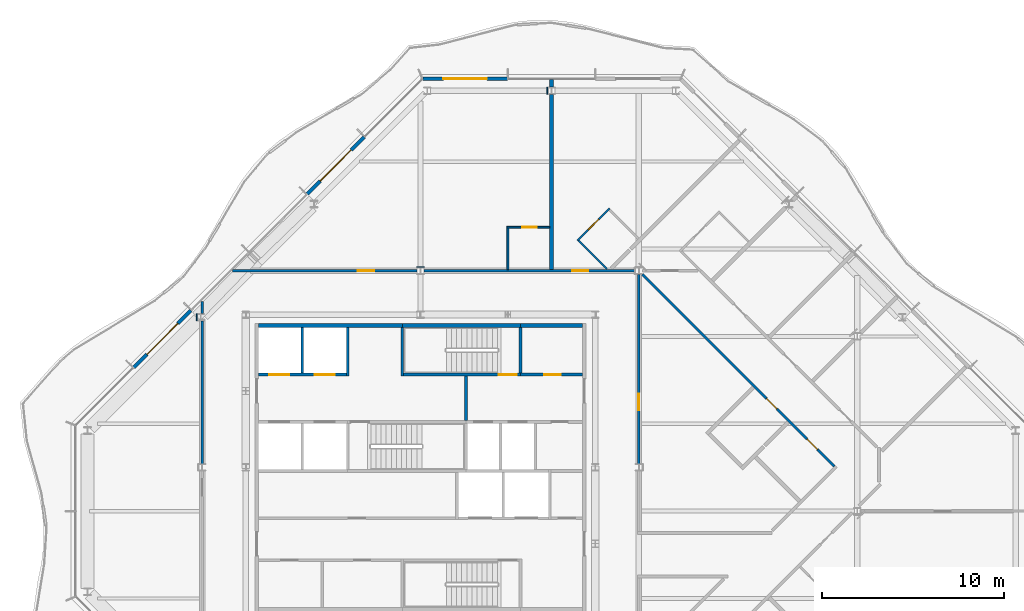
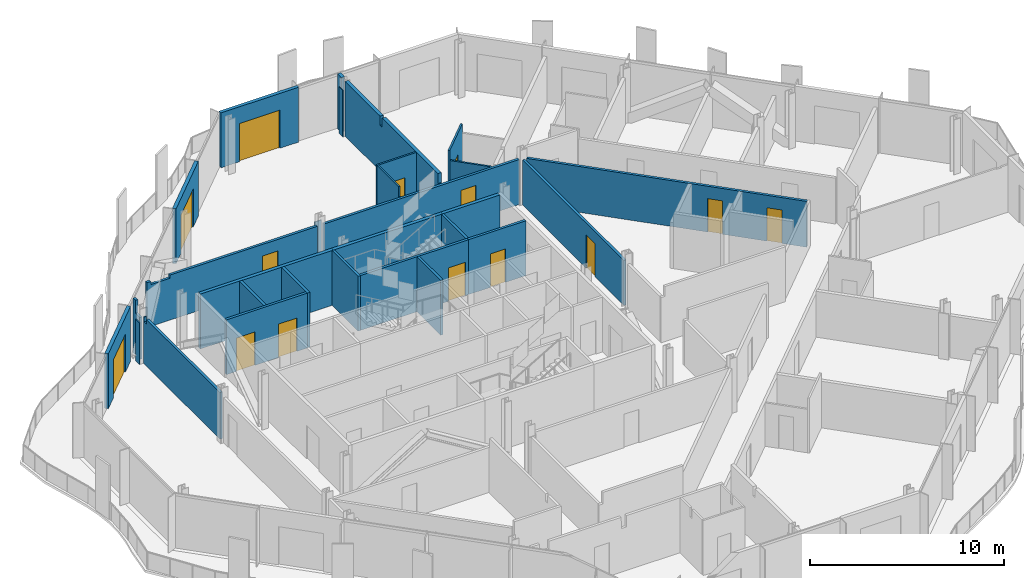
# One storey, part 10 of 16: 29 walls, 14 doors, 14 openings.
"""IFC4 building model written with IfcOpenShell, lengths in metres."""

from ifc_helpers import new_model, si_unit, direction, frame, frame_2d, origin, place, context, subcontext, project, spatial, polyline, rectangle, outline, extrude, material, layer, layer_set, type_object, element, fill, save


model = new_model("IFC4")

# Units and contexts
model_context = context("Model", 3, precision=1e-05, world=origin(), true_north=direction((0.0, 1.0)))
body_context = subcontext(model_context, "Body", "Model", "MODEL_VIEW")
ifc_project = project(units=[si_unit("LENGTHUNIT", "METRE"), si_unit("AREAUNIT", "SQUARE_METRE"), si_unit("VOLUMEUNIT", "CUBIC_METRE"), si_unit("PLANEANGLEUNIT", "RADIAN"), si_unit("MASSUNIT", "GRAM", prefix="KILO")], contexts=[model_context])

# Site, building, storey
site_placement = place(None, origin())
site = spatial("IfcSite", under=ifc_project, at=site_placement, CompositionType="ELEMENT")
building_placement = place(site_placement, origin())
building = spatial("IfcBuilding", under=site, at=building_placement, Name="Cairn Pilgrim Tower", CompositionType="ELEMENT")
storey_placement = place(building_placement, frame((0.0, 0.0, 277.800048828125)))
storey = spatial("IfcBuildingStorey", under=building, at=storey_placement, Name="L71", CompositionType="ELEMENT", Elevation=277.800048828125)

# Wall, opening, door
ifc_material_1 = material(Name="Bronze anodised aluminium insulated sandwich panel with mineral wool fill", Category="aluminium")
ifc_layer_1 = layer(ifc_material_1, 0.199951171875)
ifc_layer_set_1 = layer_set([ifc_layer_1], Name="BRONZE INFILL FRAME WALL 200")
wall_type_1 = type_object("IfcWallType", Name="BRONZE INFILL FRAME WALL 200", PredefinedType="NOTDEFINED", material=ifc_layer_set_1)
wall_1_placement = place(storey_placement, frame((11.969970703125, 23.75, 0.0), z_axis=(0.0, 0.0, 1.0), x_axis=(-1.0, 0.0, 0.0)))
wall_1 = element("IfcWall", 1, at=wall_1_placement, inside=storey, type_object=wall_type_1, Name="Bronze infill frame wall IW-N3", PredefinedType="NOTDEFINED", context=body_context, shape_type="SweptSolid", body=[
    extrude(rectangle(XDim=4.62646484375, YDim=0.199951171875, at=frame_2d((2.313232421875, 0.0))), origin(), (0.0, 0.0, 1.0), 3.449951171875),
])
opening_1_placement = place(wall_1_placement, frame((1.117919921875, 0.0, 0.0)))
opening_1 = element("IfcOpeningElement", 2, at=opening_1_placement, cuts=wall_1, Name="Opening 7110B2", PredefinedType="OPENING", context=body_context, shape_type="SweptSolid", body=[
    extrude(rectangle(XDim=2.39990234375, YDim=2.39990234375, at=frame_2d((1.199951171875, 1.199951171875))), frame((0.0, 0.10986328125, 0.0), z_axis=(0.0, -1.0, 0.0), x_axis=(1.0, 0.0, 0.0)), (0.0, 0.0, 1.0), 0.219970703125),
])
ifc_material_2 = material(Name="Bronze anodised aluminium frame with tinted low-E glass", Category="aluminium")
door_type_1 = type_object("IfcDoorType", Name="BALCONY SLIDING DOOR 2400x2400", OperationType="DOUBLE_DOOR_SLIDING", PredefinedType="DOOR", material=ifc_material_2)
door_1_placement = place(opening_1_placement, origin())
door_1 = element("IfcDoor", 3, at=door_1_placement, inside=storey, type_object=door_type_1, Name="Balcony sliding door 7110B2", OperationType="SINGLE_SWING_LEFT", OverallHeight=2.39990234375, OverallWidth=2.39990234375, PredefinedType="DOOR", context=body_context, shape_type="SweptSolid", body=[
    extrude(rectangle(XDim=2.39990234375, YDim=2.39990234375, at=frame_2d((1.199951171875, 1.199951171875))), frame((0.0, 0.02490234375, 0.0), z_axis=(0.0, -1.0, 0.0), x_axis=(1.0, 0.0, 0.0)), (0.0, 0.0, 1.0), 0.050048828125),
])
fill(opening_1, door_1)

wall_2_placement = place(storey_placement, frame((4.106689453125, 20.55322265625, 0.0), z_axis=(0.0, 0.0, 1.0), x_axis=(-0.707079231393, -0.707134329907, 0.0)))
wall_2 = element("IfcWall", 4, at=wall_2_placement, inside=storey, type_object=wall_type_1, Name="Bronze infill frame wall IW-NW2", PredefinedType="NOTDEFINED", context=body_context, shape_type="SweptSolid", body=[
    extrude(rectangle(XDim=4.430908203125, YDim=0.199951171875, at=frame_2d((2.21533203125, 0.0))), origin(), (0.0, 0.0, 1.0), 3.449951171875),
])
opening_2_placement = place(wall_2_placement, frame((1.015380859375, 0.0, 0.0)))
opening_2 = element("IfcOpeningElement", 5, at=opening_2_placement, cuts=wall_2, Name="Opening 7110B", PredefinedType="OPENING", context=body_context, shape_type="SweptSolid", body=[
    extrude(rectangle(XDim=2.39990234375, YDim=2.39990234375, at=frame_2d((1.199951171875, 1.199951171875))), frame((0.0, 0.10986328125, 0.0), z_axis=(0.0, -1.0, 0.0), x_axis=(1.0, 0.0, 0.0)), (0.0, 0.0, 1.0), 0.219970703125),
])
door_2_placement = place(opening_2_placement, origin())
door_2 = element("IfcDoor", 6, at=door_2_placement, inside=storey, type_object=door_type_1, Name="Balcony sliding door 7110B", OperationType="SINGLE_SWING_LEFT", OverallHeight=2.39990234375, OverallWidth=2.39990234375, PredefinedType="DOOR", context=body_context, shape_type="SweptSolid", body=[
    extrude(rectangle(XDim=2.39990234375, YDim=2.39990234375, at=frame_2d((1.199951171875, 1.199951171875))), frame((0.0, 0.02490234375, 0.0), z_axis=(0.0, -1.0, 0.0), x_axis=(1.0, 0.0, 0.0)), (0.0, 0.0, 1.0), 0.050048828125),
])
fill(opening_2, door_2)

wall_3_placement = place(storey_placement, frame((-5.419921875, 11.0263671875, 0.0), z_axis=(0.0, 0.0, 1.0), x_axis=(-0.707134329907, -0.707079231393, 0.0)))
wall_3 = element("IfcWall", 7, at=wall_3_placement, inside=storey, type_object=wall_type_1, Name="Bronze infill frame wall IW-NW5", PredefinedType="NOTDEFINED", context=body_context, shape_type="SweptSolid", body=[
    extrude(rectangle(XDim=4.430908203125, YDim=0.199951171875, at=frame_2d((2.21533203125, 0.0))), origin(), (0.0, 0.0, 1.0), 3.449951171875),
])
opening_3_placement = place(wall_3_placement, frame((1.01513671875, 0.0, 0.0)))
opening_3 = element("IfcOpeningElement", 8, at=opening_3_placement, cuts=wall_3, Name="Opening 7111B", PredefinedType="OPENING", context=body_context, shape_type="SweptSolid", body=[
    extrude(rectangle(XDim=2.39990234375, YDim=2.39990234375, at=frame_2d((1.199951171875, 1.199951171875))), frame((0.0, 0.10986328125, 0.0), z_axis=(0.0, -1.0, 0.0), x_axis=(1.0, 0.0, 0.0)), (0.0, 0.0, 1.0), 0.219970703125),
])
door_3_placement = place(opening_3_placement, origin())
door_3 = element("IfcDoor", 9, at=door_3_placement, inside=storey, type_object=door_type_1, Name="Balcony sliding door 7111B", OperationType="SINGLE_SWING_LEFT", OverallHeight=2.39990234375, OverallWidth=2.39990234375, PredefinedType="DOOR", context=body_context, shape_type="SweptSolid", body=[
    extrude(rectangle(XDim=2.39990234375, YDim=2.39990234375, at=frame_2d((1.199951171875, 1.199951171875))), frame((0.0, 0.02490234375, 0.0), z_axis=(0.0, -1.0, 0.0), x_axis=(1.0, 0.0, 0.0)), (0.0, 0.0, 1.0), 0.050048828125),
])
fill(opening_3, door_3)

# Walls
ifc_material_3 = material(Name="Concrete C32/40", Category="concrete")
ifc_layer_2 = layer(ifc_material_3, 0.199951171875)
ifc_layer_set_2 = layer_set([ifc_layer_2], Name="CORE OUTER WALL 200 EI 120")
wall_type_2 = type_object("IfcWallType", Name="CORE OUTER WALL 200 EI 120", PredefinedType="SOLIDWALL", material=ifc_layer_set_2)
wall_4_placement = place(storey_placement, frame((-1.699951171875, 10.199951171875, 0.0), z_axis=(0.0, 0.0, 1.0), x_axis=(1.0, 0.0, 0.0)))
element("IfcWall", 10, at=wall_4_placement, inside=storey, type_object=wall_type_2, Name="CW:L71:H12-1", PredefinedType="SOLIDWALL", context=body_context, shape_type="SweptSolid", body=[
    extrude(rectangle(XDim=7.89990234375, YDim=0.199951171875, at=frame_2d((3.949951171875, 0.0))), origin(), (0.0, 0.0, 1.0), 3.449951171875),
])
wall_5_placement = place(storey_placement, frame((12.699951171875, 10.199951171875, 0.0), z_axis=(0.0, 0.0, 1.0), x_axis=(1.0, 0.0, 0.0)))
element("IfcWall", 11, at=wall_5_placement, inside=storey, type_object=wall_type_2, Name="CW:L71:H12-3", PredefinedType="SOLIDWALL", context=body_context, shape_type="SweptSolid", body=[
    extrude(rectangle(XDim=3.400146484375, YDim=0.199951171875, at=frame_2d((1.7001953125, 0.0))), origin(), (0.0, 0.0, 1.0), 3.449951171875),
])

# Wall, openings, doors
ifc_layer_3 = layer(ifc_material_3, 0.14990234375)
ifc_layer_set_3 = layer_set([ifc_layer_3], Name="CORE SHAFT WALL 150 EI 120")
wall_type_3 = type_object("IfcWallType", Name="CORE SHAFT WALL 150 EI 120", PredefinedType="SOLIDWALL", material=ifc_layer_set_3)
wall_6_placement = place(storey_placement, frame((-1.699951171875, 7.5, 0.0), z_axis=(0.0, 0.0, 1.0), x_axis=(1.0, 0.0, 0.0)))
wall_6 = element("IfcWall", 12, at=wall_6_placement, inside=storey, type_object=wall_type_3, Name="CW:L71:H10", PredefinedType="SOLIDWALL", context=body_context, shape_type="SweptSolid", body=[
    extrude(rectangle(XDim=4.824951171875, YDim=0.14990234375, at=frame_2d((2.41259765625, 0.0))), origin(), (0.0, 0.0, 1.0), 3.449951171875),
])
opening_4_placement = place(wall_6_placement, frame((0.60009765625, 0.0, 0.0)))
opening_4 = element("IfcOpeningElement", 13, at=opening_4_placement, cuts=wall_6, Name="Opening LD-HR3", PredefinedType="OPENING", context=body_context, shape_type="SweptSolid", body=[
    extrude(rectangle(XDim=1.10009765625, YDim=2.10009765625, at=frame_2d((0.550048828125, 1.050048828125))), frame((0.0, 0.0849609375, 0.0), z_axis=(0.0, -1.0, 0.0), x_axis=(1.0, 0.0, 0.0)), (0.0, 0.0, 1.0), 0.169921875),
])
opening_5_placement = place(wall_6_placement, frame((3.10009765625, 0.0, 0.0)))
opening_5 = element("IfcOpeningElement", 14, at=opening_5_placement, cuts=wall_6, Name="Opening LD-HR4", PredefinedType="OPENING", context=body_context, shape_type="SweptSolid", body=[
    extrude(rectangle(XDim=1.10009765625, YDim=2.10009765625, at=frame_2d((0.550048828125, 1.050048828125))), frame((0.0, 0.0849609375, 0.0), z_axis=(0.0, -1.0, 0.0), x_axis=(1.0, 0.0, 0.0)), (0.0, 0.0, 1.0), 0.169921875),
])
ifc_material_4 = material(Name="Stainless steel", Category="steel")
door_type_2 = type_object("IfcDoorType", Name="LIFT LANDING DOOR 1100x2100", OperationType="DOUBLE_DOOR_SLIDING", PredefinedType="DOOR", material=ifc_material_4)
door_4_placement = place(opening_4_placement, origin())
door_4 = element("IfcDoor", 15, at=door_4_placement, inside=storey, type_object=door_type_2, Name="LANDING DOOR HR3", OperationType="DOUBLE_DOOR_SLIDING", OverallHeight=2.10009765625, OverallWidth=1.10009765625, PredefinedType="DOOR", context=body_context, shape_type="SweptSolid", body=[
    extrude(rectangle(XDim=1.10009765625, YDim=2.10009765625, at=frame_2d((0.550048828125, 1.050048828125))), frame((0.0, 0.02490234375, 0.0), z_axis=(0.0, -1.0, 0.0), x_axis=(1.0, 0.0, 0.0)), (0.0, 0.0, 1.0), 0.050048828125),
])
fill(opening_4, door_4)
door_5_placement = place(opening_5_placement, origin())
door_5 = element("IfcDoor", 16, at=door_5_placement, inside=storey, type_object=door_type_2, Name="LANDING DOOR HR4", OperationType="DOUBLE_DOOR_SLIDING", OverallHeight=2.10009765625, OverallWidth=1.10009765625, PredefinedType="DOOR", context=body_context, shape_type="SweptSolid", body=[
    extrude(rectangle(XDim=1.10009765625, YDim=2.10009765625, at=frame_2d((0.550048828125, 1.050048828125))), frame((0.0, 0.02490234375, 0.0), z_axis=(0.0, -1.0, 0.0), x_axis=(1.0, 0.0, 0.0)), (0.0, 0.0, 1.0), 0.050048828125),
])
fill(opening_5, door_5)

# Wall, opening, door
wall_7_placement = place(storey_placement, frame((12.699951171875, 7.5, 0.0), z_axis=(0.0, 0.0, 1.0), x_axis=(1.0, 0.0, 0.0)))
wall_7 = element("IfcWall", 17, at=wall_7_placement, inside=storey, type_object=wall_type_3, Name="CW:L71:H11-2", PredefinedType="SOLIDWALL", context=body_context, shape_type="SweptSolid", body=[
    extrude(rectangle(XDim=3.400146484375, YDim=0.14990234375, at=frame_2d((1.7001953125, 0.0))), origin(), (0.0, 0.0, 1.0), 3.449951171875),
])
opening_6_placement = place(wall_7_placement, frame((1.300048828125, 0.0, 0.0)))
opening_6 = element("IfcOpeningElement", 18, at=opening_6_placement, cuts=wall_7, Name="Opening RD-R4E", PredefinedType="OPENING", context=body_context, shape_type="SweptSolid", body=[
    extrude(rectangle(XDim=0.89990234375, YDim=2.10009765625, at=frame_2d((0.449951171875, 1.050048828125))), frame((0.0, 0.0849609375, 0.0), z_axis=(0.0, -1.0, 0.0), x_axis=(1.0, 0.0, 0.0)), (0.0, 0.0, 1.0), 0.169921875),
])
ifc_material_5 = material(Name="Painted steel", Category="steel")
door_type_3 = type_object("IfcDoorType", Name="SERVICE ROOM DOOR 900x2100", OperationType="SINGLE_SWING_LEFT", PredefinedType="DOOR", material=ifc_material_5)
door_6_placement = place(opening_6_placement, origin())
door_6 = element("IfcDoor", 19, at=door_6_placement, inside=storey, type_object=door_type_3, Name="RD-R4E", OperationType="SINGLE_SWING_LEFT", OverallHeight=2.10009765625, OverallWidth=0.89990234375, PredefinedType="DOOR", context=body_context, shape_type="SweptSolid", body=[
    extrude(rectangle(XDim=0.89990234375, YDim=2.10009765625, at=frame_2d((0.449951171875, 1.050048828125))), frame((0.0, 0.02490234375, 0.0), z_axis=(0.0, -1.0, 0.0), x_axis=(1.0, 0.0, 0.0)), (0.0, 0.0, 1.0), 0.050048828125),
])
fill(opening_6, door_6)

# Walls
wall_8_placement = place(storey_placement, frame((0.699951171875, 7.574951171875, 0.0), z_axis=(0.0, 0.0, 1.0), x_axis=(0.0, 1.0, 0.0)))
element("IfcWall", 20, at=wall_8_placement, inside=storey, type_object=wall_type_3, Name="CW:L71:V15", PredefinedType="SOLIDWALL", context=body_context, shape_type="SweptSolid", body=[
    extrude(rectangle(XDim=2.525146484375, YDim=0.14990234375, at=frame_2d((1.2626953125, 0.0))), origin(), (0.0, 0.0, 1.0), 3.449951171875),
])
wall_9_placement = place(storey_placement, frame((3.199951171875, 7.425048828125, 0.0), z_axis=(0.0, 0.0, 1.0), x_axis=(0.0, 1.0, 0.0)))
element("IfcWall", 21, at=wall_9_placement, inside=storey, type_object=wall_type_3, Name="CW:L71:V18", PredefinedType="SOLIDWALL", context=body_context, shape_type="SweptSolid", body=[
    extrude(rectangle(XDim=2.675048828125, YDim=0.14990234375, at=frame_2d((1.33740234375, 0.0))), origin(), (0.0, 0.0, 1.0), 3.449951171875),
])
wall_10_placement = place(storey_placement, frame((9.699951171875, 4.97509765625, 0.0), z_axis=(0.0, 0.0, 1.0), x_axis=(0.0, 1.0, 0.0)))
element("IfcWall", 22, at=wall_10_placement, inside=storey, type_object=wall_type_3, Name="CW:L71:V23", PredefinedType="SOLIDWALL", context=body_context, shape_type="SweptSolid", body=[
    extrude(rectangle(XDim=2.449951171875, YDim=0.14990234375, at=frame_2d((1.22509765625, 0.0))), origin(), (0.0, 0.0, 1.0), 3.449951171875),
])
ifc_material_6 = material(Name="Gypsum partition")
ifc_layer_4 = layer(ifc_material_6, 0.10009765625)
ifc_layer_set_4 = layer_set([ifc_layer_4], Name="PARTITION 100 DRYWALL")
wall_type_4 = type_object("IfcWallType", Name="PARTITION 100 DRYWALL", PredefinedType="PARTITIONING", material=ifc_layer_set_4)
wall_11_placement = place(storey_placement, frame((12.0, 13.27490234375, 0.0), z_axis=(0.0, 0.0, 1.0), x_axis=(0.0, 1.0, 0.0)))
element("IfcWall", 23, at=wall_11_placement, inside=storey, type_object=wall_type_4, Name="PARTITION W055", PredefinedType="PARTITIONING", context=body_context, shape_type="SweptSolid", body=[
    extrude(outline(polyline([(0.0, 0.0), (2.275146484375, 0.0), (2.27490234375, 3.449951171875), (0.074951171875, 3.449951171875), (0.072998046875, 2.829833984375), (0.0, 2.829833984375), (0.0, 0.0)])), frame((0.0, 0.050048828125, 0.0), z_axis=(0.0, -1.0, 0.0), x_axis=(1.0, 0.0, 0.0)), (0.0, 0.0, 1.0), 0.10009765625),
])
wall_12_placement = place(storey_placement, frame((17.441650390625, 13.310302734375, 0.0), z_axis=(0.0, 0.0, 1.0), x_axis=(-0.707273623788, 0.706939899209, 0.0)))
element("IfcWall", 24, at=wall_12_placement, inside=storey, type_object=wall_type_4, Name="PARTITION W057", PredefinedType="PARTITIONING", context=body_context, shape_type="SweptSolid", body=[
    extrude(rectangle(XDim=2.194580078125, YDim=0.10009765625, at=frame_2d((1.09716796875, 0.0))), origin(), (0.0, 0.0, 1.0), 2.829833984375),
])

# Wall, opening, door
wall_13_placement = place(storey_placement, frame((15.818603515625, 14.86181640625, 0.0), z_axis=(0.0, 0.0, 1.0), x_axis=(0.707350821469, 0.706862656651, 0.0)))
wall_13 = element("IfcWall", 25, at=wall_13_placement, inside=storey, type_object=wall_type_4, Name="PARTITION W062", PredefinedType="PARTITIONING", context=body_context, shape_type="SweptSolid", body=[
    extrude(rectangle(XDim=2.50048828125, YDim=0.10009765625, at=frame_2d((1.250244140625, 0.0))), origin(), (0.0, 0.0, 1.0), 3.449951171875),
])
opening_7_placement = place(wall_13_placement, frame((0.8505859375, 0.0, 0.0)))
opening_7 = element("IfcOpeningElement", 26, at=opening_7_placement, cuts=wall_13, Name="Opening 7109A", PredefinedType="OPENING", context=body_context, shape_type="SweptSolid", body=[
    extrude(rectangle(XDim=0.800048828125, YDim=2.10009765625, at=frame_2d((0.39990234375, 1.050048828125))), frame((0.0, 0.06005859375, 0.0), z_axis=(0.0, -1.0, 0.0), x_axis=(1.0, 0.0, 0.0)), (0.0, 0.0, 1.0), 0.1201171875),
])
ifc_material_7 = material(Name="Timber door leaf", Category="wood")
door_type_4 = type_object("IfcDoorType", Name="WC DOOR 800x2100", OperationType="NOTDEFINED", PredefinedType="DOOR", material=ifc_material_7)
door_7_placement = place(opening_7_placement, origin())
door_7 = element("IfcDoor", 27, at=door_7_placement, inside=storey, type_object=door_type_4, Name="DOOR 7109A", OperationType="SINGLE_SWING_LEFT", OverallHeight=2.10009765625, OverallWidth=0.800048828125, PredefinedType="DOOR", context=body_context, shape_type="SweptSolid", body=[
    extrude(rectangle(XDim=0.800048828125, YDim=2.10009765625, at=frame_2d((0.39990234375, 1.050048828125))), frame((0.0, 0.02490234375, 0.0), z_axis=(0.0, -1.0, 0.0), x_axis=(1.0, 0.0, 0.0)), (0.0, 0.0, 1.0), 0.050048828125),
])
fill(opening_7, door_7)

wall_14_placement = place(storey_placement, frame((11.949951171875, 15.60009765625, 0.0), z_axis=(0.0, 0.0, 1.0), x_axis=(1.0, 0.0, 0.0)))
wall_14 = element("IfcWall", 28, at=wall_14_placement, inside=storey, type_object=wall_type_4, Name="PARTITION W064", PredefinedType="PARTITIONING", context=body_context, shape_type="SweptSolid", body=[
    extrude(rectangle(XDim=2.35009765625, YDim=0.10009765625, at=frame_2d((1.175048828125, 0.0))), origin(), (0.0, 0.0, 1.0), 3.449951171875),
])
opening_8_placement = place(wall_14_placement, frame((0.85009765625, 0.0, 0.0)))
opening_8 = element("IfcOpeningElement", 29, at=opening_8_placement, cuts=wall_14, Name="Opening 7110A", PredefinedType="OPENING", context=body_context, shape_type="SweptSolid", body=[
    extrude(rectangle(XDim=0.800048828125, YDim=2.10009765625, at=frame_2d((0.39990234375, 1.050048828125))), frame((0.0, 0.06005859375, 0.0), z_axis=(0.0, -1.0, 0.0), x_axis=(1.0, 0.0, 0.0)), (0.0, 0.0, 1.0), 0.1201171875),
])
door_8_placement = place(opening_8_placement, origin())
door_8 = element("IfcDoor", 30, at=door_8_placement, inside=storey, type_object=door_type_4, Name="DOOR 7110A", OperationType="SINGLE_SWING_RIGHT", OverallHeight=2.10009765625, OverallWidth=0.800048828125, PredefinedType="DOOR", context=body_context, shape_type="SweptSolid", body=[
    extrude(rectangle(XDim=0.800048828125, YDim=2.10009765625, at=frame_2d((0.39990234375, 1.050048828125))), frame((0.0, 0.02490234375, 0.0), z_axis=(0.0, -1.0, 0.0), x_axis=(1.0, 0.0, 0.0)), (0.0, 0.0, 1.0), 0.050048828125),
])
fill(opening_8, door_8)

# Wall, openings, doors
ifc_layer_5 = layer(ifc_material_6, 0.14990234375)
ifc_layer_set_5 = layer_set([ifc_layer_5], Name="PARTITION 150 DRYWALL EI 60")
wall_type_5 = type_object("IfcWallType", Name="PARTITION 150 DRYWALL EI 60", PredefinedType="PARTITIONING", material=ifc_layer_set_5)
wall_15_placement = place(storey_placement, frame((29.947021484375, 2.452880859375, 0.0), z_axis=(0.0, 0.0, 1.0), x_axis=(-0.707098603185, 0.707114959093, 0.0)))
wall_15 = element("IfcWall", 31, at=wall_15_placement, inside=storey, type_object=wall_type_5, Name="PARTITION W039", PredefinedType="PARTITIONING", context=body_context, shape_type="SweptSolid", body=[
    extrude(rectangle(XDim=14.9267578125, YDim=0.14990234375, at=frame_2d((7.46337890625, 0.0))), origin(), (0.0, 0.0, 1.0), 2.8798828125),
])
opening_9_placement = place(wall_15_placement, frame((1.324951171875, 0.0, 0.0)))
opening_9 = element("IfcOpeningElement", 32, at=opening_9_placement, cuts=wall_15, Name="Opening 7113", PredefinedType="OPENING", context=body_context, shape_type="SweptSolid", body=[
    extrude(rectangle(XDim=0.800048828125, YDim=2.10009765625, at=frame_2d((0.39990234375, 1.050048828125))), frame((0.0, 0.0849609375, 0.0), z_axis=(0.0, -1.0, 0.0), x_axis=(1.0, 0.0, 0.0)), (0.0, 0.0, 1.0), 0.169921875),
])
opening_10_placement = place(wall_15_placement, frame((4.4755859375, 0.0, 0.0)))
opening_10 = element("IfcOpeningElement", 33, at=opening_10_placement, cuts=wall_15, Name="Opening 7114", PredefinedType="OPENING", context=body_context, shape_type="SweptSolid", body=[
    extrude(rectangle(XDim=0.800048828125, YDim=2.10009765625, at=frame_2d((0.39990234375, 1.050048828125))), frame((0.0, 0.0849609375, 0.0), z_axis=(0.0, -1.0, 0.0), x_axis=(1.0, 0.0, 0.0)), (0.0, 0.0, 1.0), 0.169921875),
])
door_type_5 = type_object("IfcDoorType", Name="WC DOOR 800x2100 FD30S", OperationType="NOTDEFINED", PredefinedType="DOOR", material=ifc_material_7)
door_9_placement = place(opening_9_placement, origin())
door_9 = element("IfcDoor", 34, at=door_9_placement, inside=storey, type_object=door_type_5, Name="DOOR 7113", OperationType="SINGLE_SWING_RIGHT", OverallHeight=2.10009765625, OverallWidth=0.800048828125, PredefinedType="DOOR", context=body_context, shape_type="SweptSolid", body=[
    extrude(rectangle(XDim=0.800048828125, YDim=2.10009765625, at=frame_2d((0.39990234375, 1.050048828125))), frame((0.0, 0.02490234375, 0.0), z_axis=(0.0, -1.0, 0.0), x_axis=(1.0, 0.0, 0.0)), (0.0, 0.0, 1.0), 0.050048828125),
])
fill(opening_9, door_9)
door_10_placement = place(opening_10_placement, origin())
door_10 = element("IfcDoor", 35, at=door_10_placement, inside=storey, type_object=door_type_5, Name="DOOR 7114", OperationType="SINGLE_SWING_RIGHT", OverallHeight=2.10009765625, OverallWidth=0.800048828125, PredefinedType="DOOR", context=body_context, shape_type="SweptSolid", body=[
    extrude(rectangle(XDim=0.800048828125, YDim=2.10009765625, at=frame_2d((0.39990234375, 1.050048828125))), frame((0.0, 0.02490234375, 0.0), z_axis=(0.0, -1.0, 0.0), x_axis=(1.0, 0.0, 0.0)), (0.0, 0.0, 1.0), 0.050048828125),
])
fill(opening_10, door_10)

# Wall
wall_16_placement = place(storey_placement, frame((-4.800048828125, 2.58740234375, 0.0), z_axis=(0.0, 0.0, 1.0), x_axis=(0.0, 1.0, 0.0)))
element("IfcWall", 36, at=wall_16_placement, inside=storey, type_object=wall_type_5, Name="PARTITION W040", PredefinedType="PARTITIONING", context=body_context, shape_type="SweptSolid", body=[
    extrude(outline(polyline([(0.0, 0.0), (7.86767578125, 0.0), (7.867431640625, 2.929931640625), (7.814453125, 2.929931640625), (7.8125, 2.6298828125), (7.56982421875, 2.6298828125), (7.56787109375, 2.929931640625), (0.0, 2.929931640625), (0.0, 0.0)])), frame((0.0, 0.074951171875, 0.0), z_axis=(0.0, -1.0, 0.0), x_axis=(1.0, 0.0, 0.0)), (0.0, 0.0, 1.0), 0.14990234375),
])

# Wall, opening, door
wall_17_placement = place(storey_placement, frame((19.199951171875, 2.58740234375, 0.0), z_axis=(0.0, 0.0, 1.0), x_axis=(0.0, 1.0, 0.0)))
wall_17 = element("IfcWall", 37, at=wall_17_placement, inside=storey, type_object=wall_type_5, Name="PARTITION W041", PredefinedType="PARTITIONING", context=body_context, shape_type="SweptSolid", body=[
    extrude(rectangle(XDim=10.425048828125, YDim=0.14990234375, at=frame_2d((5.21240234375, 0.0))), origin(), (0.0, 0.0, 1.0), 2.829833984375),
])
opening_11_placement = place(wall_17_placement, frame((2.96240234375, 0.0, 0.0)))
opening_11 = element("IfcOpeningElement", 38, at=opening_11_placement, cuts=wall_17, Name="Opening 7116", PredefinedType="OPENING", context=body_context, shape_type="SweptSolid", body=[
    extrude(rectangle(XDim=0.89990234375, YDim=2.10009765625, at=frame_2d((0.449951171875, 1.050048828125))), frame((0.0, 0.0849609375, 0.0), z_axis=(0.0, -1.0, 0.0), x_axis=(1.0, 0.0, 0.0)), (0.0, 0.0, 1.0), 0.169921875),
])
door_type_6 = type_object("IfcDoorType", Name="SERVICE DOOR 900x2100 FD30S", OperationType="NOTDEFINED", PredefinedType="DOOR", material=ifc_material_7)
door_11_placement = place(opening_11_placement, frame((0.89990234375, 0.0, 0.0), z_axis=(0.0, 0.0, 1.0), x_axis=(-1.0, 0.0, 0.0)))
door_11 = element("IfcDoor", 39, at=door_11_placement, inside=storey, type_object=door_type_6, Name="DOOR 7116", OperationType="SINGLE_SWING_RIGHT", OverallHeight=2.10009765625, OverallWidth=0.89990234375, PredefinedType="DOOR", context=body_context, shape_type="SweptSolid", body=[
    extrude(rectangle(XDim=0.89990234375, YDim=2.10009765625, at=frame_2d((0.449951171875, 1.050048828125))), frame((0.0, 0.02490234375, 0.0), z_axis=(0.0, -1.0, 0.0), x_axis=(1.0, 0.0, 0.0)), (0.0, 0.0, 1.0), 0.050048828125),
])
fill(opening_11, door_11)

# Wall
wall_18_placement = place(storey_placement, frame((-4.800048828125, 10.847900390625, 0.0), z_axis=(0.0, 0.0, 1.0), x_axis=(0.0, 1.0, 0.0)))
element("IfcWall", 40, at=wall_18_placement, inside=storey, type_object=wall_type_5, Name="PARTITION W049", PredefinedType="PARTITIONING", context=body_context, shape_type="SweptSolid", body=[
    extrude(outline(polyline([(0.0, 0.0), (0.67822265625, 0.0), (0.677978515625, 3.449951171875), (0.44921875, 3.449951171875), (0.447265625, 2.6298828125), (0.0, 2.6298828125), (0.0, 0.0)])), frame((0.0, 0.074951171875, 0.0), z_axis=(0.0, -1.0, 0.0), x_axis=(1.0, 0.0, 0.0)), (0.0, 0.0, 1.0), 0.14990234375),
])

# Wall, opening, door
wall_19_placement = place(storey_placement, frame((-3.126220703125, 13.199951171875, 0.0), z_axis=(0.0, 0.0, 1.0), x_axis=(1.0, 0.0, 0.0)))
wall_19 = element("IfcWall", 41, at=wall_19_placement, inside=storey, type_object=wall_type_5, Name="PARTITION W051", PredefinedType="PARTITIONING", context=body_context, shape_type="SweptSolid", body=[
    extrude(outline(polyline([(0.0, 0.0), (10.129150390625, 0.0), (10.129150390625, 2.829833984375), (1.368896484375, 2.829833984375), (1.366943359375, 2.6298828125), (0.22900390625, 2.6298828125), (0.226806640625, 2.829833984375), (0.0, 2.829833984375), (0.0, 0.0)])), frame((0.0, 0.074951171875, 0.0), z_axis=(0.0, -1.0, 0.0), x_axis=(1.0, 0.0, 0.0)), (0.0, 0.0, 1.0), 0.14990234375),
])
opening_12_placement = place(wall_19_placement, frame((6.8759765625, 0.0, 0.0)))
opening_12 = element("IfcOpeningElement", 42, at=opening_12_placement, cuts=wall_19, Name="Opening 7110", PredefinedType="OPENING", context=body_context, shape_type="SweptSolid", body=[
    extrude(rectangle(XDim=0.89990234375, YDim=2.10009765625, at=frame_2d((0.449951171875, 1.050048828125))), frame((0.0, 0.0849609375, 0.0), z_axis=(0.0, -1.0, 0.0), x_axis=(1.0, 0.0, 0.0)), (0.0, 0.0, 1.0), 0.169921875),
])
door_type_7 = type_object("IfcDoorType", Name="ROOM DOOR 900x2100 FD30S", OperationType="NOTDEFINED", PredefinedType="DOOR", material=ifc_material_7)
door_12_placement = place(opening_12_placement, origin())
door_12 = element("IfcDoor", 43, at=door_12_placement, inside=storey, type_object=door_type_7, Name="DOOR 7110", OperationType="SINGLE_SWING_RIGHT", OverallHeight=2.10009765625, OverallWidth=0.89990234375, PredefinedType="DOOR", context=body_context, shape_type="SweptSolid", body=[
    extrude(rectangle(XDim=0.89990234375, YDim=2.10009765625, at=frame_2d((0.449951171875, 1.050048828125))), frame((0.0, 0.02490234375, 0.0), z_axis=(0.0, -1.0, 0.0), x_axis=(1.0, 0.0, 0.0)), (0.0, 0.0, 1.0), 0.050048828125),
])
fill(opening_12, door_12)

wall_20_placement = place(storey_placement, frame((7.39697265625, 13.199951171875, 0.0), z_axis=(0.0, 0.0, 1.0), x_axis=(1.0, 0.0, 0.0)))
wall_20 = element("IfcWall", 44, at=wall_20_placement, inside=storey, type_object=wall_type_5, Name="PARTITION W052", PredefinedType="PARTITIONING", context=body_context, shape_type="SweptSolid", body=[
    extrude(rectangle(XDim=11.60595703125, YDim=0.14990234375, at=frame_2d((5.802978515625, 0.0))), origin(), (0.0, 0.0, 1.0), 2.829833984375),
])
opening_13_placement = place(wall_20_placement, frame((8.12890625, 0.0, 0.0)))
opening_13 = element("IfcOpeningElement", 45, at=opening_13_placement, cuts=wall_20, Name="Opening 7109", PredefinedType="OPENING", context=body_context, shape_type="SweptSolid", body=[
    extrude(rectangle(XDim=0.89990234375, YDim=2.10009765625, at=frame_2d((0.449951171875, 1.050048828125))), frame((0.0, 0.0849609375, 0.0), z_axis=(0.0, -1.0, 0.0), x_axis=(1.0, 0.0, 0.0)), (0.0, 0.0, 1.0), 0.169921875),
])
door_13_placement = place(opening_13_placement, origin())
door_13 = element("IfcDoor", 46, at=door_13_placement, inside=storey, type_object=door_type_7, Name="DOOR 7109", OperationType="SINGLE_SWING_LEFT", OverallHeight=2.10009765625, OverallWidth=0.89990234375, PredefinedType="DOOR", context=body_context, shape_type="SweptSolid", body=[
    extrude(rectangle(XDim=0.89990234375, YDim=2.10009765625, at=frame_2d((0.449951171875, 1.050048828125))), frame((0.0, 0.02490234375, 0.0), z_axis=(0.0, -1.0, 0.0), x_axis=(1.0, 0.0, 0.0)), (0.0, 0.0, 1.0), 0.050048828125),
])
fill(opening_13, door_13)

# Walls
ifc_layer_6 = layer(ifc_material_6, 0.050048828125)
ifc_layer_set_6 = layer_set([ifc_layer_6], Name="PARTITION 50 DRYWALL EI 60")
wall_type_6 = type_object("IfcWallType", Name="PARTITION 50 DRYWALL EI 60", PredefinedType="PARTITIONING", material=ifc_layer_set_6)
wall_21_placement = place(storey_placement, frame((-5.10009765625, 10.455078125, 0.0), z_axis=(0.0, 0.0, 1.0), x_axis=(0.0, 1.0, 0.0)))
element("IfcWall", 47, at=wall_21_placement, inside=storey, type_object=wall_type_6, Name="COLUMN CASING WC10", PredefinedType="PARTITIONING", context=body_context, shape_type="SweptSolid", body=[
    extrude(rectangle(XDim=0.392822265625, YDim=0.050048828125, at=frame_2d((0.1962890625, 0.0))), origin(), (0.0, 0.0, 1.0), 2.6298828125),
])
wall_22_placement = place(storey_placement, frame((7.0029296875, 13.41259765625, 0.0), z_axis=(0.0, 0.0, 1.0), x_axis=(1.0, 0.0, 0.0)))
element("IfcWall", 48, at=wall_22_placement, inside=storey, type_object=wall_type_6, Name="COLUMN CASING WC21", PredefinedType="PARTITIONING", context=body_context, shape_type="SweptSolid", body=[
    extrude(rectangle(XDim=0.39404296875, YDim=0.050048828125, at=frame_2d((0.197021484375, 0.0))), origin(), (0.0, 0.0, 1.0), 2.929931640625),
])
wall_23_placement = place(storey_placement, frame((14.175537109375, 22.903564453125, 0.0), z_axis=(0.0, 0.0, 1.0), x_axis=(0.0, 1.0, 0.0)))
element("IfcWall", 49, at=wall_23_placement, inside=storey, type_object=wall_type_6, Name="COLUMN CASING WC23", PredefinedType="PARTITIONING", context=body_context, shape_type="SweptSolid", body=[
    extrude(rectangle(XDim=0.392822265625, YDim=0.050048828125, at=frame_2d((0.1962890625, 0.0))), origin(), (0.0, 0.0, 1.0), 2.929931640625),
])
ifc_layer_7 = layer(ifc_material_6, 0.199951171875)
ifc_layer_set_7 = layer_set([ifc_layer_7], Name="SHAFT WALL 200 GYPSUM EI 60")
wall_type_7 = type_object("IfcWallType", Name="SHAFT WALL 200 GYPSUM EI 60", PredefinedType="PARTITIONING", material=ifc_layer_set_7)
wall_24_placement = place(storey_placement, frame((14.39990234375, 13.27490234375, 0.0), z_axis=(0.0, 0.0, 1.0), x_axis=(0.0, 1.0, 0.0)))
element("IfcWall", 50, at=wall_24_placement, inside=storey, type_object=wall_type_7, Name="PARTITION W056", PredefinedType="PARTITIONING", context=body_context, shape_type="SweptSolid", body=[
    extrude(outline(polyline([(0.0, 0.0), (9.628662109375, 0.0), (9.62841796875, 3.449951171875), (6.030029296875, 3.449951171875), (6.028076171875, 2.8798828125), (5.820068359375, 2.8798828125), (5.818115234375, 3.449951171875), (0.074951171875, 3.449951171875), (0.072998046875, 2.829833984375), (0.0, 2.829833984375), (0.0, 0.0)])), frame((0.0, 0.10009765625, 0.0), z_axis=(0.0, -1.0, 0.0), x_axis=(1.0, 0.0, 0.0)), (0.0, 0.0, 1.0), 0.199951171875),
])
wall_25_placement = place(storey_placement, frame((14.39990234375, 23.29638671875, 0.0), z_axis=(0.0, 0.0, 1.0), x_axis=(0.0, 1.0, 0.0)))
element("IfcWall", 51, at=wall_25_placement, inside=storey, type_object=wall_type_7, Name="PARTITION W066", PredefinedType="PARTITIONING", context=body_context, shape_type="SweptSolid", body=[
    extrude(rectangle(XDim=0.406494140625, YDim=0.199951171875, at=frame_2d((0.203125, 0.0))), origin(), (0.0, 0.0, 1.0), 3.449951171875),
])

# Wall, opening, door
ifc_material_8 = material(Name="Concrete C35/45", Category="concrete")
ifc_layer_8 = layer(ifc_material_8, 0.14990234375)
ifc_layer_set_8 = layer_set([ifc_layer_8], Name="STAIR SHAFT WALL 150 EI 120")
wall_type_8 = type_object("IfcWallType", Name="STAIR SHAFT WALL 150 EI 120", PredefinedType="SOLIDWALL", material=ifc_layer_set_8)
wall_26_placement = place(storey_placement, frame((6.27490234375, 7.5, 0.0), z_axis=(0.0, 0.0, 1.0), x_axis=(1.0, 0.0, 0.0)))
wall_26 = element("IfcWall", 52, at=wall_26_placement, inside=storey, type_object=wall_type_8, Name="CW:L71:H11-1", PredefinedType="SOLIDWALL", context=body_context, shape_type="SweptSolid", body=[
    extrude(rectangle(XDim=6.425048828125, YDim=0.14990234375, at=frame_2d((3.21240234375, 0.0))), origin(), (0.0, 0.0, 1.0), 3.449951171875),
])
opening_14_placement = place(wall_26_placement, frame((5.22509765625, 0.0, 0.0)))
opening_14 = element("IfcOpeningElement", 53, at=opening_14_placement, cuts=wall_26, Name="Opening SD-C", PredefinedType="OPENING", context=body_context, shape_type="SweptSolid", body=[
    extrude(rectangle(XDim=1.0, YDim=2.10009765625, at=frame_2d((0.5, 1.050048828125))), frame((0.0, 0.0849609375, 0.0), z_axis=(0.0, -1.0, 0.0), x_axis=(1.0, 0.0, 0.0)), (0.0, 0.0, 1.0), 0.169921875),
])
door_type_8 = type_object("IfcDoorType", Name="STAIR DOOR FD60S 1000x2100", OperationType="SINGLE_SWING_LEFT", PredefinedType="DOOR", material=ifc_material_5)
door_14_placement = place(opening_14_placement, origin())
door_14 = element("IfcDoor", 54, at=door_14_placement, inside=storey, type_object=door_type_8, Name="SD-C", OperationType="SINGLE_SWING_RIGHT", OverallHeight=2.10009765625, OverallWidth=1.0, PredefinedType="DOOR", context=body_context, shape_type="SweptSolid", body=[
    extrude(rectangle(XDim=1.0, YDim=2.10009765625, at=frame_2d((0.5, 1.050048828125))), frame((0.0, 0.02490234375, 0.0), z_axis=(0.0, -1.0, 0.0), x_axis=(1.0, 0.0, 0.0)), (0.0, 0.0, 1.0), 0.050048828125),
])
fill(opening_14, door_14)

# Walls
wall_27_placement = place(storey_placement, frame((6.199951171875, 7.425048828125, 0.0), z_axis=(0.0, 0.0, 1.0), x_axis=(0.0, 1.0, 0.0)))
element("IfcWall", 55, at=wall_27_placement, inside=storey, type_object=wall_type_8, Name="CW:L71:V20", PredefinedType="SOLIDWALL", context=body_context, shape_type="SweptSolid", body=[
    extrude(rectangle(XDim=2.675048828125, YDim=0.14990234375, at=frame_2d((1.33740234375, 0.0))), origin(), (0.0, 0.0, 1.0), 3.449951171875),
])
wall_28_placement = place(storey_placement, frame((12.699951171875, 7.574951171875, 0.0), z_axis=(0.0, 0.0, 1.0), x_axis=(0.0, 1.0, 0.0)))
element("IfcWall", 56, at=wall_28_placement, inside=storey, type_object=wall_type_8, Name="CW:L71:V27", PredefinedType="SOLIDWALL", context=body_context, shape_type="SweptSolid", body=[
    extrude(rectangle(XDim=2.525146484375, YDim=0.14990234375, at=frame_2d((1.2626953125, 0.0))), origin(), (0.0, 0.0, 1.0), 3.449951171875),
])
ifc_layer_9 = layer(ifc_material_8, 0.199951171875)
ifc_layer_set_9 = layer_set([ifc_layer_9], Name="STAIR SHAFT WALL 200 EI 120")
wall_type_9 = type_object("IfcWallType", Name="STAIR SHAFT WALL 200 EI 120", PredefinedType="SOLIDWALL", material=ifc_layer_set_9)
wall_29_placement = place(storey_placement, frame((6.199951171875, 10.199951171875, 0.0), z_axis=(0.0, 0.0, 1.0), x_axis=(1.0, 0.0, 0.0)))
element("IfcWall", 57, at=wall_29_placement, inside=storey, type_object=wall_type_9, Name="CW:L71:H12-2", PredefinedType="SOLIDWALL", context=body_context, shape_type="SweptSolid", body=[
    extrude(rectangle(XDim=6.5, YDim=0.199951171875, at=frame_2d((3.25, 0.0))), origin(), (0.0, 0.0, 1.0), 3.449951171875),
])

save(model, "model.ifc")
